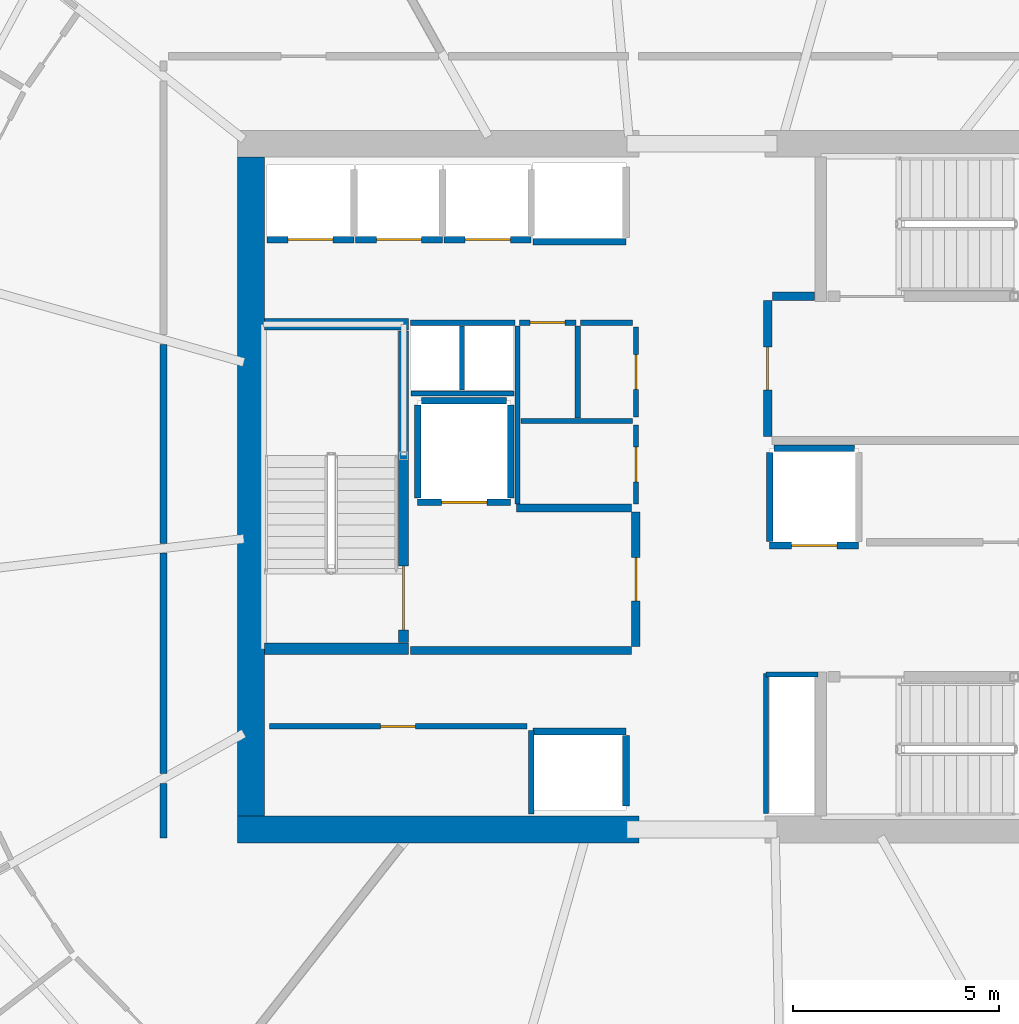
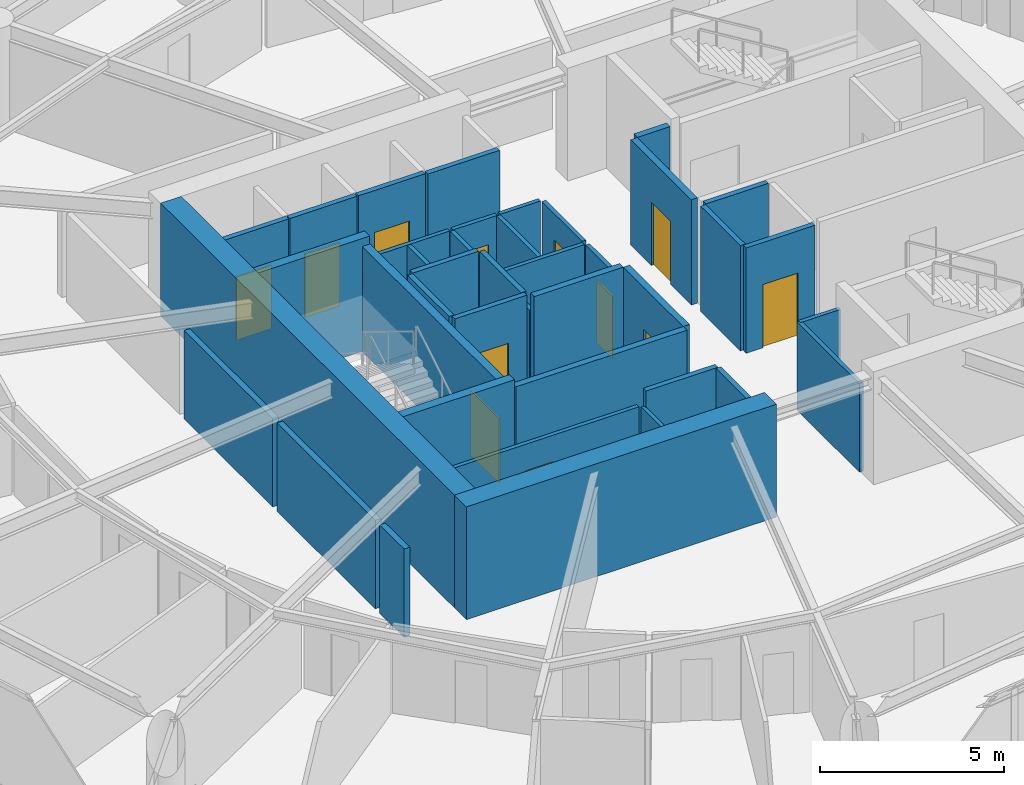
# One storey, part 12 of 20: 40 walls, 12 doors, 12 openings.
"""IFC4 building model written with IfcOpenShell, lengths in metres."""

from ifc_helpers import new_model, si_unit, direction, frame, frame_2d, origin, place, context, subcontext, project, spatial, rectangle, extrude, material, layer, layer_set, type_object, element, fill, save


model = new_model("IFC4")

# Units and contexts
model_context = context("Model", 3, precision=1e-05, world=origin(), true_north=direction((0.0, 1.0)))
body_context = subcontext(model_context, "Body", "Model", "MODEL_VIEW")
ifc_project = project(units=[si_unit("LENGTHUNIT", "METRE"), si_unit("AREAUNIT", "SQUARE_METRE"), si_unit("VOLUMEUNIT", "CUBIC_METRE"), si_unit("PLANEANGLEUNIT", "RADIAN"), si_unit("MASSUNIT", "GRAM", prefix="KILO")], contexts=[model_context])

# Site, building, storey
site_placement = place(None, origin())
site = spatial("IfcSite", under=ifc_project, at=site_placement, CompositionType="ELEMENT")
building_placement = place(site_placement, origin())
building = spatial("IfcBuilding", under=site, at=building_placement, Name="Kazma Halo Residences", CompositionType="ELEMENT")
storey_placement = place(building_placement, frame((0.0, 0.0, 214.050048828125)))
storey = spatial("IfcBuildingStorey", under=building, at=storey_placement, Name="L54", CompositionType="ELEMENT", Elevation=214.050048828125)

# Walls
ifc_material_1 = material(Name="Concrete C60/75", Category="concrete")
ifc_layer_1 = layer(ifc_material_1, 0.64990234375)
ifc_layer_set_1 = layer_set([ifc_layer_1], Name="Concrete C60/75")
wall_type_1 = type_object("IfcWallType", Name="WL-CORE-650", PredefinedType="SHEAR", material=ifc_layer_set_1)
wall_1_placement = place(storey_placement, frame((37.14990234375, 33.675048828125, 0.0), z_axis=(0.0, 0.0, 1.0), x_axis=(1.0, 0.0, 0.0)))
element("IfcWall", 1, at=wall_1_placement, inside=storey, type_object=wall_type_1, Name="L54 central core shear wall SW", PredefinedType="SHEAR", context=body_context, shape_type="SweptSolid", body=[
    extrude(rectangle(XDim=9.75, YDim=0.64990234375, at=frame_2d((4.875, 0.0))), origin(), (0.0, 0.0, 1.0), 3.75),
])
wall_2_placement = place(storey_placement, frame((37.47509765625, 34.0, 0.0), z_axis=(0.0, 0.0, 1.0), x_axis=(0.0, 1.0, 0.0)))
element("IfcWall", 2, at=wall_2_placement, inside=storey, type_object=wall_type_1, Name="L54 central core shear wall W", PredefinedType="SHEAR", context=body_context, shape_type="SweptSolid", body=[
    extrude(rectangle(XDim=16.0, YDim=0.64990234375, at=frame_2d((8.0, 0.0))), origin(), (0.0, 0.0, 1.0), 3.75),
])
ifc_layer_2 = layer(ifc_material_1, 0.280029296875)
ifc_layer_set_2 = layer_set([ifc_layer_2], Name="Concrete C60/75")
wall_type_2 = type_object("IfcWallType", Name="WL-CORE-ST-280", PredefinedType="SHEAR", material=ifc_layer_set_2)
for number, where, z_axis, x_axis, name in (
    (3, (37.800048828125, 38.06005859375, 0.0), (0.0, 0.0, 1.0), (1.0, 0.0, 0.0), "L54 stairwell bearing wall ST01-S"),
    (4, (37.800048828125, 45.93994140625, 0.0), (0.0, 0.0, 1.0), (1.0, 0.0, 0.0), "L54 stairwell bearing wall ST01-N"),
):
    element("IfcWall", number, at=place(storey_placement, frame(where, z_axis=z_axis, x_axis=x_axis)), inside=storey, type_object=wall_type_2, Name=name, PredefinedType="SHEAR", context=body_context, shape_type="SweptSolid", body=[
        extrude(rectangle(XDim=3.5, YDim=0.280029296875, at=frame_2d((1.75, 0.0))), origin(), (0.0, 0.0, 1.0), 3.75),
    ])
ifc_material_2 = material(Name="Acoustic Twin-Stud Gypsum")
ifc_layer_3 = layer(ifc_material_2, 0.179931640625)
ifc_layer_set_3 = layer_set([ifc_layer_3], Name="Acoustic Twin-Stud Gypsum")
wall_type_3 = type_object("IfcWallType", Name="WL-DEM-180", PredefinedType="PARTITIONING", material=ifc_layer_set_3)
wall_3_placement = place(storey_placement, frame((35.35009765625, 45.44775390625, 0.0), z_axis=(0.0, 0.0, 1.0), x_axis=(0.0, -1.0, 0.0)))
element("IfcWall", 5, at=wall_3_placement, inside=storey, type_object=wall_type_3, Name="L54 Apartment 1 inner wall 6", PredefinedType="PARTITIONING", context=body_context, shape_type="SweptSolid", body=[
    extrude(rectangle(XDim=4.824951171875, YDim=0.179931640625, at=frame_2d((2.41259765625, 0.0))), origin(), (0.0, 0.0, 1.0), 2.93994140625),
])
wall_4_placement = place(storey_placement, frame((35.35009765625, 40.3828125, 0.0), z_axis=(0.0, 0.0, 1.0), x_axis=(0.0, -1.0, 0.0)))
element("IfcWall", 6, at=wall_4_placement, inside=storey, type_object=wall_type_3, Name="L54 Apartment 1 inner wall 7", PredefinedType="PARTITIONING", context=body_context, shape_type="SweptSolid", body=[
    extrude(rectangle(XDim=5.34716796875, YDim=0.179931640625, at=frame_2d((2.673583984375, 0.0))), origin(), (0.0, 0.0, 1.0), 2.93994140625),
])
wall_5_placement = place(storey_placement, frame((35.35009765625, 34.795654296875, 0.0), z_axis=(0.0, 0.0, 1.0), x_axis=(0.0, -1.0, 0.0)))
element("IfcWall", 7, at=wall_5_placement, inside=storey, type_object=wall_type_3, Name="L54 Apartment 1 inner wall 8", PredefinedType="PARTITIONING", context=body_context, shape_type="SweptSolid", body=[
    extrude(rectangle(XDim=1.32568359375, YDim=0.179931640625, at=frame_2d((0.662841796875, 0.0))), origin(), (0.0, 0.0, 1.0), 2.93994140625),
])

# Wall, opening, door
ifc_material_3 = material(Name="Fire-Rated Blockwork Masonry", Category="masonry")
ifc_layer_4 = layer(ifc_material_3, 0.199951171875)
ifc_layer_set_4 = layer_set([ifc_layer_4], Name="Fire-Rated Blockwork Masonry")
wall_type_4 = type_object("IfcWallType", Name="WL-FLB-200", PredefinedType="PARTITIONING", material=ifc_layer_set_4)
wall_6_placement = place(storey_placement, frame((39.97509765625, 47.9951171875, 0.0), z_axis=(0.0, 0.0, 1.0), x_axis=(-1.0, 0.0, 0.0)))
wall_6 = element("IfcWall", 8, at=wall_6_placement, inside=storey, type_object=wall_type_4, Name="L54 lift shaft PM-01 front wall", PredefinedType="PARTITIONING", context=body_context, shape_type="SweptSolid", body=[
    extrude(rectangle(XDim=2.110107421875, YDim=0.159912109375, at=frame_2d((1.05517578125, 0.0))), origin(), (0.0, 0.0, 1.0), 3.5),
])
opening_1_placement = place(wall_6_placement, frame((0.5048828125, 0.0, 0.0)))
opening_1 = element("IfcOpeningElement", 9, at=opening_1_placement, cuts=wall_6, Name="Opening LD-PM-01", PredefinedType="OPENING", context=body_context, shape_type="SweptSolid", body=[
    extrude(rectangle(XDim=1.10009765625, YDim=2.10009765625, at=frame_2d((0.550048828125, 1.050048828125))), frame((0.0, 0.08984375, 0.0), z_axis=(0.0, -1.0, 0.0), x_axis=(1.0, 0.0, 0.0)), (0.0, 0.0, 1.0), 0.179931640625),
])
ifc_material_4 = material(Name="Stainless Steel Fire-Rated", Category="steel")
door_type_1 = type_object("IfcDoorType", Name="DR-LIFT-SLD-1100", OperationType="DOUBLE_DOOR_SLIDING", PredefinedType="DOOR", material=ifc_material_4)
door_1_placement = place(opening_1_placement, origin())
door_1 = element("IfcDoor", 10, at=door_1_placement, inside=storey, type_object=door_type_1, Name="L54 lift PM-01 sliding landing door", OperationType="DOUBLE_DOOR_SLIDING", OverallHeight=2.10009765625, OverallWidth=1.10009765625, PredefinedType="DOOR", context=body_context, shape_type="SweptSolid", body=[
    extrude(rectangle(XDim=1.10009765625, YDim=2.10009765625, at=frame_2d((0.550048828125, 1.050048828125))), frame((0.0, 0.02490234375, 0.0), z_axis=(0.0, -1.0, 0.0), x_axis=(1.0, 0.0, 0.0)), (0.0, 0.0, 1.0), 0.050048828125),
])
fill(opening_1, door_1)

wall_7_placement = place(storey_placement, frame((42.125, 47.9951171875, 0.0), z_axis=(0.0, 0.0, 1.0), x_axis=(-1.0, 0.0, 0.0)))
wall_7 = element("IfcWall", 11, at=wall_7_placement, inside=storey, type_object=wall_type_4, Name="L54 lift shaft PM-02 front wall", PredefinedType="PARTITIONING", context=body_context, shape_type="SweptSolid", body=[
    extrude(rectangle(XDim=2.110107421875, YDim=0.159912109375, at=frame_2d((1.05517578125, 0.0))), origin(), (0.0, 0.0, 1.0), 3.5),
])
opening_2_placement = place(wall_7_placement, frame((0.5048828125, 0.0, 0.0)))
opening_2 = element("IfcOpeningElement", 12, at=opening_2_placement, cuts=wall_7, Name="Opening LD-PM-02", PredefinedType="OPENING", context=body_context, shape_type="SweptSolid", body=[
    extrude(rectangle(XDim=1.10009765625, YDim=2.10009765625, at=frame_2d((0.550048828125, 1.050048828125))), frame((0.0, 0.08984375, 0.0), z_axis=(0.0, -1.0, 0.0), x_axis=(1.0, 0.0, 0.0)), (0.0, 0.0, 1.0), 0.179931640625),
])
door_2_placement = place(opening_2_placement, origin())
door_2 = element("IfcDoor", 13, at=door_2_placement, inside=storey, type_object=door_type_1, Name="L54 lift PM-02 sliding landing door", OperationType="DOUBLE_DOOR_SLIDING", OverallHeight=2.10009765625, OverallWidth=1.10009765625, PredefinedType="DOOR", context=body_context, shape_type="SweptSolid", body=[
    extrude(rectangle(XDim=1.10009765625, YDim=2.10009765625, at=frame_2d((0.550048828125, 1.050048828125))), frame((0.0, 0.02490234375, 0.0), z_axis=(0.0, -1.0, 0.0), x_axis=(1.0, 0.0, 0.0)), (0.0, 0.0, 1.0), 0.050048828125),
])
fill(opening_2, door_2)

wall_8_placement = place(storey_placement, frame((44.27490234375, 47.9951171875, 0.0), z_axis=(0.0, 0.0, 1.0), x_axis=(-1.0, 0.0, 0.0)))
wall_8 = element("IfcWall", 14, at=wall_8_placement, inside=storey, type_object=wall_type_4, Name="L54 lift shaft PM-03 front wall", PredefinedType="PARTITIONING", context=body_context, shape_type="SweptSolid", body=[
    extrude(rectangle(XDim=2.10986328125, YDim=0.159912109375, at=frame_2d((1.054931640625, 0.0))), origin(), (0.0, 0.0, 1.0), 3.5),
])
opening_3_placement = place(wall_8_placement, frame((0.5048828125, 0.0, 0.0)))
opening_3 = element("IfcOpeningElement", 15, at=opening_3_placement, cuts=wall_8, Name="Opening LD-PM-03", PredefinedType="OPENING", context=body_context, shape_type="SweptSolid", body=[
    extrude(rectangle(XDim=1.10009765625, YDim=2.10009765625, at=frame_2d((0.550048828125, 1.050048828125))), frame((0.0, 0.08984375, 0.0), z_axis=(0.0, -1.0, 0.0), x_axis=(1.0, 0.0, 0.0)), (0.0, 0.0, 1.0), 0.179931640625),
])
door_3_placement = place(opening_3_placement, origin())
door_3 = element("IfcDoor", 16, at=door_3_placement, inside=storey, type_object=door_type_1, Name="L54 lift PM-03 sliding landing door", OperationType="DOUBLE_DOOR_SLIDING", OverallHeight=2.10009765625, OverallWidth=1.10009765625, PredefinedType="DOOR", context=body_context, shape_type="SweptSolid", body=[
    extrude(rectangle(XDim=1.10009765625, YDim=2.10009765625, at=frame_2d((0.550048828125, 1.050048828125))), frame((0.0, 0.02490234375, 0.0), z_axis=(0.0, -1.0, 0.0), x_axis=(1.0, 0.0, 0.0)), (0.0, 0.0, 1.0), 0.050048828125),
])
fill(opening_3, door_3)

# Walls
for number, where, z_axis, x_axis, name in (
    (17, (46.580078125, 47.945068359375, 0.0), (0.0, 0.0, 1.0), (-1.0, 0.0, 0.0), "L54 lift shaft PX-01 front wall"),
    (18, (44.320068359375, 36.054931640625, 0.0), (0.0, 0.0, 1.0), (1.0, 0.0, 0.0), "L54 lift shaft PX-02 front wall"),
):
    element("IfcWall", number, at=place(storey_placement, frame(where, z_axis=z_axis, x_axis=x_axis)), inside=storey, type_object=wall_type_4, Name=name, PredefinedType="PARTITIONING", context=body_context, shape_type="SweptSolid", body=[
        extrude(rectangle(XDim=2.260009765625, YDim=0.159912109375, at=frame_2d((1.1298828125, 0.0))), origin(), (0.0, 0.0, 1.0), 3.5),
    ])
wall_9_placement = place(storey_placement, frame((46.580078125, 34.2451171875, 0.0), z_axis=(0.0, 0.0, 1.0), x_axis=(0.0, 1.0, 0.0)))
element("IfcWall", 19, at=wall_9_placement, inside=storey, type_object=wall_type_4, Name="L54 lift shaft PX-02 side wall E", PredefinedType="PARTITIONING", context=body_context, shape_type="SweptSolid", body=[
    extrude(rectangle(XDim=1.7099609375, YDim=0.159912109375, at=frame_2d((0.85498046875, 0.0))), origin(), (0.0, 0.0, 1.0), 3.5),
])

# Wall, opening, door
wall_10_placement = place(storey_placement, frame((43.780029296875, 41.6201171875, 0.0), z_axis=(0.0, 0.0, 1.0), x_axis=(-1.0, 0.0, 0.0)))
wall_10 = element("IfcWall", 20, at=wall_10_placement, inside=storey, type_object=wall_type_4, Name="L54 lift shaft FL-01 front wall", PredefinedType="PARTITIONING", context=body_context, shape_type="SweptSolid", body=[
    extrude(rectangle(XDim=2.260009765625, YDim=0.159912109375, at=frame_2d((1.1298828125, 0.0))), origin(), (0.0, 0.0, 1.0), 3.5),
])
opening_4_placement = place(wall_10_placement, frame((0.580078125, 0.0, 0.0)))
opening_4 = element("IfcOpeningElement", 21, at=opening_4_placement, cuts=wall_10, Name="Opening LD-FL-01", PredefinedType="OPENING", context=body_context, shape_type="SweptSolid", body=[
    extrude(rectangle(XDim=1.10009765625, YDim=2.10009765625, at=frame_2d((0.550048828125, 1.050048828125))), frame((0.0, 0.08984375, 0.0), z_axis=(0.0, -1.0, 0.0), x_axis=(1.0, 0.0, 0.0)), (0.0, 0.0, 1.0), 0.179931640625),
])
door_4_placement = place(opening_4_placement, origin())
door_4 = element("IfcDoor", 22, at=door_4_placement, inside=storey, type_object=door_type_1, Name="L54 lift FL-01 sliding landing door", OperationType="DOUBLE_DOOR_SLIDING", OverallHeight=2.10009765625, OverallWidth=1.10009765625, PredefinedType="DOOR", context=body_context, shape_type="SweptSolid", body=[
    extrude(rectangle(XDim=1.10009765625, YDim=2.10009765625, at=frame_2d((0.550048828125, 1.050048828125))), frame((0.0, 0.02490234375, 0.0), z_axis=(0.0, -1.0, 0.0), x_axis=(1.0, 0.0, 0.0)), (0.0, 0.0, 1.0), 0.050048828125),
])
fill(opening_4, door_4)

# Walls
for number, where, z_axis, x_axis, name in (
    (23, (43.780029296875, 41.719970703125, 0.0), (0.0, 0.0, 1.0), (0.0, 1.0, 0.0), "L54 lift shaft FL-01 side wall E"),
    (24, (41.52001953125, 41.719970703125, 0.0), (0.0, 0.0, 1.0), (0.0, 1.0, 0.0), "L54 lift shaft FL-01 side wall W"),
):
    element("IfcWall", number, at=place(storey_placement, frame(where, z_axis=z_axis, x_axis=x_axis)), inside=storey, type_object=wall_type_4, Name=name, PredefinedType="PARTITIONING", context=body_context, shape_type="SweptSolid", body=[
        extrude(rectangle(XDim=2.260009765625, YDim=0.159912109375, at=frame_2d((1.1298828125, 0.0))), origin(), (0.0, 0.0, 1.0), 3.5),
    ])
wall_11_placement = place(storey_placement, frame((41.6201171875, 44.080078125, 0.0), z_axis=(0.0, 0.0, 1.0), x_axis=(1.0, 0.0, 0.0)))
element("IfcWall", 25, at=wall_11_placement, inside=storey, type_object=wall_type_4, Name="L54 lift shaft FL-01 side wall N", PredefinedType="PARTITIONING", context=body_context, shape_type="SweptSolid", body=[
    extrude(rectangle(XDim=2.059814453125, YDim=0.159912109375, at=frame_2d((1.02978515625, 0.0))), origin(), (0.0, 0.0, 1.0), 3.5),
])

# Wall, opening, door
wall_12_placement = place(storey_placement, frame((52.22998046875, 40.570068359375, 0.0), z_axis=(0.0, 0.0, 1.0), x_axis=(-1.0, 0.0, 0.0)))
wall_12 = element("IfcWall", 26, at=wall_12_placement, inside=storey, type_object=wall_type_4, Name="L54 lift shaft SV-01 front wall", PredefinedType="PARTITIONING", context=body_context, shape_type="SweptSolid", body=[
    extrude(rectangle(XDim=2.159912109375, YDim=0.159912109375, at=frame_2d((1.080078125, 0.0))), origin(), (0.0, 0.0, 1.0), 3.5),
])
opening_5_placement = place(wall_12_placement, frame((0.530029296875, 0.0, 0.0)))
opening_5 = element("IfcOpeningElement", 27, at=opening_5_placement, cuts=wall_12, Name="Opening LD-SV-01", PredefinedType="OPENING", context=body_context, shape_type="SweptSolid", body=[
    extrude(rectangle(XDim=1.10009765625, YDim=2.10009765625, at=frame_2d((0.550048828125, 1.050048828125))), frame((0.0, 0.08984375, 0.0), z_axis=(0.0, -1.0, 0.0), x_axis=(1.0, 0.0, 0.0)), (0.0, 0.0, 1.0), 0.179931640625),
])
door_5_placement = place(opening_5_placement, origin())
door_5 = element("IfcDoor", 28, at=door_5_placement, inside=storey, type_object=door_type_1, Name="L54 lift SV-01 sliding landing door", OperationType="DOUBLE_DOOR_SLIDING", OverallHeight=2.10009765625, OverallWidth=1.10009765625, PredefinedType="DOOR", context=body_context, shape_type="SweptSolid", body=[
    extrude(rectangle(XDim=1.10009765625, YDim=2.10009765625, at=frame_2d((0.550048828125, 1.050048828125))), frame((0.0, 0.02490234375, 0.0), z_axis=(0.0, -1.0, 0.0), x_axis=(1.0, 0.0, 0.0)), (0.0, 0.0, 1.0), 0.050048828125),
])
fill(opening_5, door_5)

# Walls
wall_13_placement = place(storey_placement, frame((50.070068359375, 40.669921875, 0.0), z_axis=(0.0, 0.0, 1.0), x_axis=(0.0, 1.0, 0.0)))
element("IfcWall", 29, at=wall_13_placement, inside=storey, type_object=wall_type_4, Name="L54 lift shaft SV-01 side wall W", PredefinedType="PARTITIONING", context=body_context, shape_type="SweptSolid", body=[
    extrude(rectangle(XDim=2.16015625, YDim=0.159912109375, at=frame_2d((1.080078125, 0.0))), origin(), (0.0, 0.0, 1.0), 3.5),
])
wall_14_placement = place(storey_placement, frame((50.169921875, 42.929931640625, 0.0), z_axis=(0.0, 0.0, 1.0), x_axis=(1.0, 0.0, 0.0)))
element("IfcWall", 30, at=wall_14_placement, inside=storey, type_object=wall_type_4, Name="L54 lift shaft SV-01 side wall N", PredefinedType="PARTITIONING", context=body_context, shape_type="SweptSolid", body=[
    extrude(rectangle(XDim=1.9599609375, YDim=0.159912109375, at=frame_2d((0.97998046875, 0.0))), origin(), (0.0, 0.0, 1.0), 3.5),
])
wall_15_placement = place(storey_placement, frame((41.35009765625, 38.02001953125, 0.0), z_axis=(0.0, 0.0, 1.0), x_axis=(1.0, 0.0, 0.0)))
element("IfcWall", 31, at=wall_15_placement, inside=storey, type_object=wall_type_4, Name="L54 west firefighting lobby south smoke wall", PredefinedType="PARTITIONING", context=body_context, shape_type="SweptSolid", body=[
    extrude(rectangle(XDim=5.369873046875, YDim=0.199951171875, at=frame_2d((2.68505859375, 0.0))), origin(), (0.0, 0.0, 1.0), 3.5),
])
wall_16_placement = place(storey_placement, frame((43.919921875, 41.47998046875, 0.0), z_axis=(0.0, 0.0, 1.0), x_axis=(1.0, 0.0, 0.0)))
element("IfcWall", 32, at=wall_16_placement, inside=storey, type_object=wall_type_4, Name="L54 west firefighting lobby north smoke wall", PredefinedType="PARTITIONING", context=body_context, shape_type="SweptSolid", body=[
    extrude(rectangle(XDim=2.800048828125, YDim=0.199951171875, at=frame_2d((1.39990234375, 0.0))), origin(), (0.0, 0.0, 1.0), 3.5),
])

# Wall, opening, door
wall_17_placement = place(storey_placement, frame((46.820068359375, 38.1201171875, 0.0), z_axis=(0.0, 0.0, 1.0), x_axis=(0.0, 1.0, 0.0)))
wall_17 = element("IfcWall", 33, at=wall_17_placement, inside=storey, type_object=wall_type_4, Name="L54 west firefighting lobby smoke wall", PredefinedType="PARTITIONING", context=body_context, shape_type="SweptSolid", body=[
    extrude(rectangle(XDim=3.259765625, YDim=0.199951171875, at=frame_2d((1.6298828125, 0.0))), origin(), (0.0, 0.0, 1.0), 3.5),
])
opening_6_placement = place(wall_17_placement, frame((1.10498046875, 0.0, 0.0)))
opening_6 = element("IfcOpeningElement", 34, at=opening_6_placement, cuts=wall_17, Name="Opening D-FLW", PredefinedType="OPENING", context=body_context, shape_type="SweptSolid", body=[
    extrude(rectangle(XDim=1.050048828125, YDim=2.10009765625, at=frame_2d((0.52490234375, 1.050048828125))), frame((0.0, 0.10986328125, 0.0), z_axis=(0.0, -1.0, 0.0), x_axis=(1.0, 0.0, 0.0)), (0.0, 0.0, 1.0), 0.219970703125),
])
ifc_material_5 = material(Name="Fire-Rated Steel Leaf", Category="steel")
door_type_2 = type_object("IfcDoorType", Name="DR-FD90-1050", OperationType="NOTDEFINED", PredefinedType="DOOR", material=ifc_material_5)
door_6_placement = place(opening_6_placement, origin())
door_6 = element("IfcDoor", 35, at=door_6_placement, inside=storey, type_object=door_type_2, Name="L54 west firefighting lobby smoke door", OperationType="SINGLE_SWING_LEFT", OverallHeight=2.10009765625, OverallWidth=1.050048828125, PredefinedType="DOOR", context=body_context, shape_type="SweptSolid", body=[
    extrude(rectangle(XDim=1.050048828125, YDim=2.10009765625, at=frame_2d((0.52490234375, 1.050048828125))), frame((0.0, 0.02490234375, 0.0), z_axis=(0.0, -1.0, 0.0), x_axis=(1.0, 0.0, 0.0)), (0.0, 0.0, 1.0), 0.050048828125),
])
fill(opening_6, door_6)

# Wall
wall_18_placement = place(storey_placement, frame((50.139892578125, 46.6201171875, 0.0), z_axis=(0.0, 0.0, 1.0), x_axis=(1.0, 0.0, 0.0)))
element("IfcWall", 36, at=wall_18_placement, inside=storey, type_object=wall_type_4, Name="L54 east firefighting lobby north closure wall", PredefinedType="PARTITIONING", context=body_context, shape_type="SweptSolid", body=[
    extrude(rectangle(XDim=1.02001953125, YDim=0.199951171875, at=frame_2d((0.510009765625, 0.0))), origin(), (0.0, 0.0, 1.0), 3.5),
])

# Wall, opening, door
wall_19_placement = place(storey_placement, frame((50.02001953125, 43.219970703125, 0.0), z_axis=(0.0, 0.0, 1.0), x_axis=(0.0, 1.0, 0.0)))
wall_19 = element("IfcWall", 37, at=wall_19_placement, inside=storey, type_object=wall_type_4, Name="L54 east firefighting lobby smoke wall", PredefinedType="PARTITIONING", context=body_context, shape_type="SweptSolid", body=[
    extrude(rectangle(XDim=3.300048828125, YDim=0.199951171875, at=frame_2d((1.64990234375, 0.0))), origin(), (0.0, 0.0, 1.0), 3.5),
])
opening_7_placement = place(wall_19_placement, frame((1.125, 0.0, 0.0)))
opening_7 = element("IfcOpeningElement", 38, at=opening_7_placement, cuts=wall_19, Name="Opening D-FLE", PredefinedType="OPENING", context=body_context, shape_type="SweptSolid", body=[
    extrude(rectangle(XDim=1.050048828125, YDim=2.10009765625, at=frame_2d((0.52490234375, 1.050048828125))), frame((0.0, 0.10986328125, 0.0), z_axis=(0.0, -1.0, 0.0), x_axis=(1.0, 0.0, 0.0)), (0.0, 0.0, 1.0), 0.219970703125),
])
door_7_placement = place(opening_7_placement, origin())
door_7 = element("IfcDoor", 39, at=door_7_placement, inside=storey, type_object=door_type_2, Name="L54 east firefighting lobby smoke door", OperationType="SINGLE_SWING_RIGHT", OverallHeight=2.10009765625, OverallWidth=1.050048828125, PredefinedType="DOOR", context=body_context, shape_type="SweptSolid", body=[
    extrude(rectangle(XDim=1.050048828125, YDim=2.10009765625, at=frame_2d((0.52490234375, 1.050048828125))), frame((0.0, 0.02490234375, 0.0), z_axis=(0.0, -1.0, 0.0), x_axis=(1.0, 0.0, 0.0)), (0.0, 0.0, 1.0), 0.050048828125),
])
fill(opening_7, door_7)

# Wall
ifc_material_6 = material(Name="Gypsum Plasterboard Partition")
ifc_layer_5 = layer(ifc_material_6, 0.125)
ifc_layer_set_5 = layer_set([ifc_layer_5], Name="Gypsum Plasterboard Partition")
wall_type_5 = type_object("IfcWallType", Name="WL-PART-125", PredefinedType="PARTITIONING", material=ifc_layer_set_5)
wall_20_placement = place(storey_placement, frame((44.280029296875, 34.050048828125, 0.0), z_axis=(0.0, 0.0, 1.0), x_axis=(0.0, 1.0, 0.0)))
element("IfcWall", 40, at=wall_20_placement, inside=storey, type_object=wall_type_5, Name="L54 reclaimed south east wall", PredefinedType="PARTITIONING", context=body_context, shape_type="SweptSolid", body=[
    extrude(rectangle(XDim=2.030029296875, YDim=0.125, at=frame_2d((1.01513671875, 0.0))), origin(), (0.0, 0.0, 1.0), 2.93994140625),
])

# Wall, opening, door
wall_21_placement = place(storey_placement, frame((37.919921875, 36.179931640625, 0.0), z_axis=(0.0, 0.0, 1.0), x_axis=(1.0, 0.0, 0.0)))
wall_21 = element("IfcWall", 41, at=wall_21_placement, inside=storey, type_object=wall_type_5, Name="L54 reclaimed south front wall", PredefinedType="PARTITIONING", context=body_context, shape_type="SweptSolid", body=[
    extrude(rectangle(XDim=6.260009765625, YDim=0.125, at=frame_2d((3.1298828125, 0.0))), origin(), (0.0, 0.0, 1.0), 2.93994140625),
])
opening_8_placement = place(wall_21_placement, frame((2.705078125, 0.0, 0.0)))
opening_8 = element("IfcOpeningElement", 42, at=opening_8_placement, cuts=wall_21, Name="Opening DS-850", PredefinedType="OPENING", context=body_context, shape_type="SweptSolid", body=[
    extrude(rectangle(XDim=0.85009765625, YDim=2.06005859375, at=frame_2d((0.425048828125, 1.030029296875))), frame((0.0, 0.072509765625, 0.0), z_axis=(0.0, -1.0, 0.0), x_axis=(1.0, 0.0, 0.0)), (0.0, 0.0, 1.0), 0.14501953125),
])
ifc_material_7 = material(Name="Painted Steel Access Leaf", Category="steel")
door_type_3 = type_object("IfcDoorType", Name="DR-SVC-850", OperationType="NOTDEFINED", PredefinedType="DOOR", material=ifc_material_7)
door_8_placement = place(opening_8_placement, origin())
door_8 = element("IfcDoor", 43, at=door_8_placement, inside=storey, type_object=door_type_3, Name="L54 reclaimed south service door", OperationType="SINGLE_SWING_LEFT", OverallHeight=2.06005859375, OverallWidth=0.85009765625, PredefinedType="DOOR", context=body_context, shape_type="SweptSolid", body=[
    extrude(rectangle(XDim=0.85009765625, YDim=2.06005859375, at=frame_2d((0.425048828125, 1.030029296875))), frame((0.0, 0.02490234375, 0.0), z_axis=(0.0, -1.0, 0.0), x_axis=(1.0, 0.0, 0.0)), (0.0, 0.0, 1.0), 0.050048828125),
])
fill(opening_8, door_8)

# Walls
wall_22_placement = place(storey_placement, frame((41.360107421875, 44.260009765625, 0.0), z_axis=(0.0, 0.0, 1.0), x_axis=(1.0, 0.0, 0.0)))
element("IfcWall", 44, at=wall_22_placement, inside=storey, type_object=wall_type_5, Name="L54 core riser south wall", PredefinedType="PARTITIONING", context=body_context, shape_type="SweptSolid", body=[
    extrude(rectangle(XDim=2.5, YDim=0.125, at=frame_2d((1.25, 0.0))), origin(), (0.0, 0.0, 1.0), 2.93994140625),
])
wall_23_placement = place(storey_placement, frame((42.60009765625, 44.35009765625, 0.0), z_axis=(0.0, 0.0, 1.0), x_axis=(0.0, 1.0, 0.0)))
element("IfcWall", 45, at=wall_23_placement, inside=storey, type_object=wall_type_5, Name="L54 core riser divider wall", PredefinedType="PARTITIONING", context=body_context, shape_type="SweptSolid", body=[
    extrude(rectangle(XDim=1.5498046875, YDim=0.125, at=frame_2d((0.77490234375, 0.0))), origin(), (0.0, 0.0, 1.0), 2.93994140625),
])
wall_24_placement = place(storey_placement, frame((49.97998046875, 34.06005859375, 0.0), z_axis=(0.0, 0.0, 1.0), x_axis=(0.0, 1.0, 0.0)))
element("IfcWall", 46, at=wall_24_placement, inside=storey, type_object=wall_type_5, Name="L54 standpipe riser wall", PredefinedType="PARTITIONING", context=body_context, shape_type="SweptSolid", body=[
    extrude(rectangle(XDim=3.39990234375, YDim=0.125, at=frame_2d((1.699951171875, 0.0))), origin(), (0.0, 0.0, 1.0), 2.93994140625),
])
wall_25_placement = place(storey_placement, frame((49.97998046875, 37.43994140625, 0.0), z_axis=(0.0, 0.0, 1.0), x_axis=(1.0, 0.0, 0.0)))
element("IfcWall", 47, at=wall_25_placement, inside=storey, type_object=wall_type_5, Name="L54 standpipe riser north wall", PredefinedType="PARTITIONING", context=body_context, shape_type="SweptSolid", body=[
    extrude(rectangle(XDim=1.260009765625, YDim=0.125, at=frame_2d((0.6298828125, 0.0))), origin(), (0.0, 0.0, 1.0), 2.93994140625),
])
wall_26_placement = place(storey_placement, frame((43.949951171875, 41.580078125, 0.0), z_axis=(0.0, 0.0, 1.0), x_axis=(0.0, 1.0, 0.0)))
element("IfcWall", 48, at=wall_26_placement, inside=storey, type_object=wall_type_5, Name="L54 core service west wall", PredefinedType="PARTITIONING", context=body_context, shape_type="SweptSolid", body=[
    extrude(rectangle(XDim=4.31982421875, YDim=0.125, at=frame_2d((2.159912109375, 0.0))), origin(), (0.0, 0.0, 1.0), 2.93994140625),
])
wall_27_placement = place(storey_placement, frame((44.030029296875, 43.590087890625, 0.0), z_axis=(0.0, 0.0, 1.0), x_axis=(1.0, 0.0, 0.0)))
element("IfcWall", 49, at=wall_27_placement, inside=storey, type_object=wall_type_5, Name="L54 core service horiz divider", PredefinedType="PARTITIONING", context=body_context, shape_type="SweptSolid", body=[
    extrude(rectangle(XDim=2.7099609375, YDim=0.125, at=frame_2d((1.35498046875, 0.0))), origin(), (0.0, 0.0, 1.0), 2.93994140625),
])
wall_28_placement = place(storey_placement, frame((45.409912109375, 43.669921875, 0.0), z_axis=(0.0, 0.0, 1.0), x_axis=(0.0, 1.0, 0.0)))
element("IfcWall", 50, at=wall_28_placement, inside=storey, type_object=wall_type_5, Name="L54 core service vert divider", PredefinedType="PARTITIONING", context=body_context, shape_type="SweptSolid", body=[
    extrude(rectangle(XDim=2.22998046875, YDim=0.125, at=frame_2d((1.114990234375, 0.0))), origin(), (0.0, 0.0, 1.0), 2.93994140625),
])

# Wall, opening, door
wall_29_placement = place(storey_placement, frame((46.820068359375, 41.580078125, 0.0), z_axis=(0.0, 0.0, 1.0), x_axis=(0.0, 1.0, 0.0)))
wall_29 = element("IfcWall", 51, at=wall_29_placement, inside=storey, type_object=wall_type_5, Name="L54 refuse room east wall", PredefinedType="PARTITIONING", context=body_context, shape_type="SweptSolid", body=[
    extrude(rectangle(XDim=1.909912109375, YDim=0.125, at=frame_2d((0.955078125, 0.0))), origin(), (0.0, 0.0, 1.0), 2.93994140625),
])
opening_9_placement = place(wall_29_placement, frame((0.530029296875, 0.0, 0.0)))
opening_9 = element("IfcOpeningElement", 52, at=opening_9_placement, cuts=wall_29, Name="Opening DS-850", PredefinedType="OPENING", context=body_context, shape_type="SweptSolid", body=[
    extrude(rectangle(XDim=0.85009765625, YDim=2.06005859375, at=frame_2d((0.425048828125, 1.030029296875))), frame((0.0, 0.072509765625, 0.0), z_axis=(0.0, -1.0, 0.0), x_axis=(1.0, 0.0, 0.0)), (0.0, 0.0, 1.0), 0.14501953125),
])
door_9_placement = place(opening_9_placement, origin())
door_9 = element("IfcDoor", 53, at=door_9_placement, inside=storey, type_object=door_type_3, Name="L54 refuse room door", OperationType="SINGLE_SWING_LEFT", OverallHeight=2.06005859375, OverallWidth=0.85009765625, PredefinedType="DOOR", context=body_context, shape_type="SweptSolid", body=[
    extrude(rectangle(XDim=0.85009765625, YDim=2.06005859375, at=frame_2d((0.425048828125, 1.030029296875))), frame((0.0, 0.02490234375, 0.0), z_axis=(0.0, -1.0, 0.0), x_axis=(1.0, 0.0, 0.0)), (0.0, 0.0, 1.0), 0.050048828125),
])
fill(opening_9, door_9)

wall_30_placement = place(storey_placement, frame((46.820068359375, 43.68994140625, 0.0), z_axis=(0.0, 0.0, 1.0), x_axis=(0.0, 1.0, 0.0)))
wall_30 = element("IfcWall", 54, at=wall_30_placement, inside=storey, type_object=wall_type_5, Name="L54 sub-metering east wall", PredefinedType="PARTITIONING", context=body_context, shape_type="SweptSolid", body=[
    extrude(rectangle(XDim=2.18994140625, YDim=0.125, at=frame_2d((1.094970703125, 0.0))), origin(), (0.0, 0.0, 1.0), 2.93994140625),
])
opening_10_placement = place(wall_30_placement, frame((0.669921875, 0.0, 0.0)))
opening_10 = element("IfcOpeningElement", 55, at=opening_10_placement, cuts=wall_30, Name="Opening DS-850", PredefinedType="OPENING", context=body_context, shape_type="SweptSolid", body=[
    extrude(rectangle(XDim=0.85009765625, YDim=2.06005859375, at=frame_2d((0.425048828125, 1.030029296875))), frame((0.0, 0.072509765625, 0.0), z_axis=(0.0, -1.0, 0.0), x_axis=(1.0, 0.0, 0.0)), (0.0, 0.0, 1.0), 0.14501953125),
])
door_10_placement = place(opening_10_placement, origin())
door_10 = element("IfcDoor", 56, at=door_10_placement, inside=storey, type_object=door_type_3, Name="L54 sub-metering door", OperationType="SINGLE_SWING_RIGHT", OverallHeight=2.06005859375, OverallWidth=0.85009765625, PredefinedType="DOOR", context=body_context, shape_type="SweptSolid", body=[
    extrude(rectangle(XDim=0.85009765625, YDim=2.06005859375, at=frame_2d((0.425048828125, 1.030029296875))), frame((0.0, 0.02490234375, 0.0), z_axis=(0.0, -1.0, 0.0), x_axis=(1.0, 0.0, 0.0)), (0.0, 0.0, 1.0), 0.050048828125),
])
fill(opening_10, door_10)

# Wall
wall_31_placement = place(storey_placement, frame((41.35009765625, 45.97998046875, 0.0), z_axis=(0.0, 0.0, 1.0), x_axis=(1.0, 0.0, 0.0)))
element("IfcWall", 57, at=wall_31_placement, inside=storey, type_object=wall_type_5, Name="L54 core riser NW wall", PredefinedType="PARTITIONING", context=body_context, shape_type="SweptSolid", body=[
    extrude(rectangle(XDim=2.52978515625, YDim=0.125, at=frame_2d((1.264892578125, 0.0))), origin(), (0.0, 0.0, 1.0), 2.93994140625),
])

# Wall, opening, door
wall_32_placement = place(storey_placement, frame((43.989990234375, 45.97998046875, 0.0), z_axis=(0.0, 0.0, 1.0), x_axis=(1.0, 0.0, 0.0)))
wall_32 = element("IfcWall", 58, at=wall_32_placement, inside=storey, type_object=wall_type_5, Name="L54 cleaners cupboard north wall", PredefinedType="PARTITIONING", context=body_context, shape_type="SweptSolid", body=[
    extrude(rectangle(XDim=1.380126953125, YDim=0.125, at=frame_2d((0.68994140625, 0.0))), origin(), (0.0, 0.0, 1.0), 2.93994140625),
])
opening_11_placement = place(wall_32_placement, frame((0.264892578125, 0.0, 0.0)))
opening_11 = element("IfcOpeningElement", 59, at=opening_11_placement, cuts=wall_32, Name="Opening DS-850", PredefinedType="OPENING", context=body_context, shape_type="SweptSolid", body=[
    extrude(rectangle(XDim=0.85009765625, YDim=2.06005859375, at=frame_2d((0.425048828125, 1.030029296875))), frame((0.0, 0.072509765625, 0.0), z_axis=(0.0, -1.0, 0.0), x_axis=(1.0, 0.0, 0.0)), (0.0, 0.0, 1.0), 0.14501953125),
])
door_11_placement = place(opening_11_placement, origin())
door_11 = element("IfcDoor", 60, at=door_11_placement, inside=storey, type_object=door_type_3, Name="L54 cleaners cupboard door", OperationType="SINGLE_SWING_LEFT", OverallHeight=2.06005859375, OverallWidth=0.85009765625, PredefinedType="DOOR", context=body_context, shape_type="SweptSolid", body=[
    extrude(rectangle(XDim=0.85009765625, YDim=2.06005859375, at=frame_2d((0.425048828125, 1.030029296875))), frame((0.0, 0.02490234375, 0.0), z_axis=(0.0, -1.0, 0.0), x_axis=(1.0, 0.0, 0.0)), (0.0, 0.0, 1.0), 0.050048828125),
])
fill(opening_11, door_11)

# Wall
wall_33_placement = place(storey_placement, frame((45.47998046875, 45.97998046875, 0.0), z_axis=(0.0, 0.0, 1.0), x_axis=(1.0, 0.0, 0.0)))
element("IfcWall", 61, at=wall_33_placement, inside=storey, type_object=wall_type_5, Name="L54 sub-metering north wall", PredefinedType="PARTITIONING", context=body_context, shape_type="SweptSolid", body=[
    extrude(rectangle(XDim=1.260009765625, YDim=0.125, at=frame_2d((0.6298828125, 0.0))), origin(), (0.0, 0.0, 1.0), 2.93994140625),
])

# Wall, opening, door
ifc_material_8 = material(Name="Concrete C50/60", Category="concrete")
ifc_layer_6 = layer(ifc_material_8, 0.25)
ifc_layer_set_6 = layer_set([ifc_layer_6], Name="Concrete C50/60")
wall_type_6 = type_object("IfcWallType", Name="WL-SHF-250", PredefinedType="SOLIDWALL", material=ifc_layer_set_6)
wall_34_placement = place(storey_placement, frame((41.179931640625, 38.219970703125, 0.0), z_axis=(0.0, 0.0, 1.0), x_axis=(0.0, 1.0, 0.0)))
wall_34 = element("IfcWall", 62, at=wall_34_placement, inside=storey, type_object=wall_type_6, Name="L54 exit stair ST-01 enclosure wall", PredefinedType="SOLIDWALL", context=body_context, shape_type="SweptSolid", body=[
    extrude(rectangle(XDim=7.56005859375, YDim=0.25, at=frame_2d((3.780029296875, 0.0))), origin(), (0.0, 0.0, 1.0), 3.5),
])
opening_12_placement = place(wall_34_placement, frame((0.300048828125, 0.0, 0.0)))
opening_12 = element("IfcOpeningElement", 63, at=opening_12_placement, cuts=wall_34, Name="Opening D-ST1", PredefinedType="OPENING", context=body_context, shape_type="SweptSolid", body=[
    extrude(rectangle(XDim=1.550048828125, YDim=2.14990234375, at=frame_2d((0.77490234375, 1.074951171875))), frame((0.0, 0.135009765625, 0.0), z_axis=(0.0, -1.0, 0.0), x_axis=(1.0, 0.0, 0.0)), (0.0, 0.0, 1.0), 0.27001953125),
])
ifc_material_9 = material(Name="Fire-Rated Double Steel Leaf", Category="steel")
door_type_4 = type_object("IfcDoorType", Name="DR-FD90-1550", OperationType="NOTDEFINED", PredefinedType="DOOR", material=ifc_material_9)
door_12_placement = place(opening_12_placement, origin())
door_12 = element("IfcDoor", 64, at=door_12_placement, inside=storey, type_object=door_type_4, Name="L54 exit stair ST-01 fire door", OperationType="DOUBLE_DOOR_SINGLE_SWING", OverallHeight=2.14990234375, OverallWidth=1.550048828125, PredefinedType="DOOR", context=body_context, shape_type="SweptSolid", body=[
    extrude(rectangle(XDim=1.550048828125, YDim=2.14990234375, at=frame_2d((0.77490234375, 1.074951171875))), frame((0.0, 0.02490234375, 0.0), z_axis=(0.0, -1.0, 0.0), x_axis=(1.0, 0.0, 0.0)), (0.0, 0.0, 1.0), 0.050048828125),
])
fill(opening_12, door_12)

save(model, "model.ifc")
